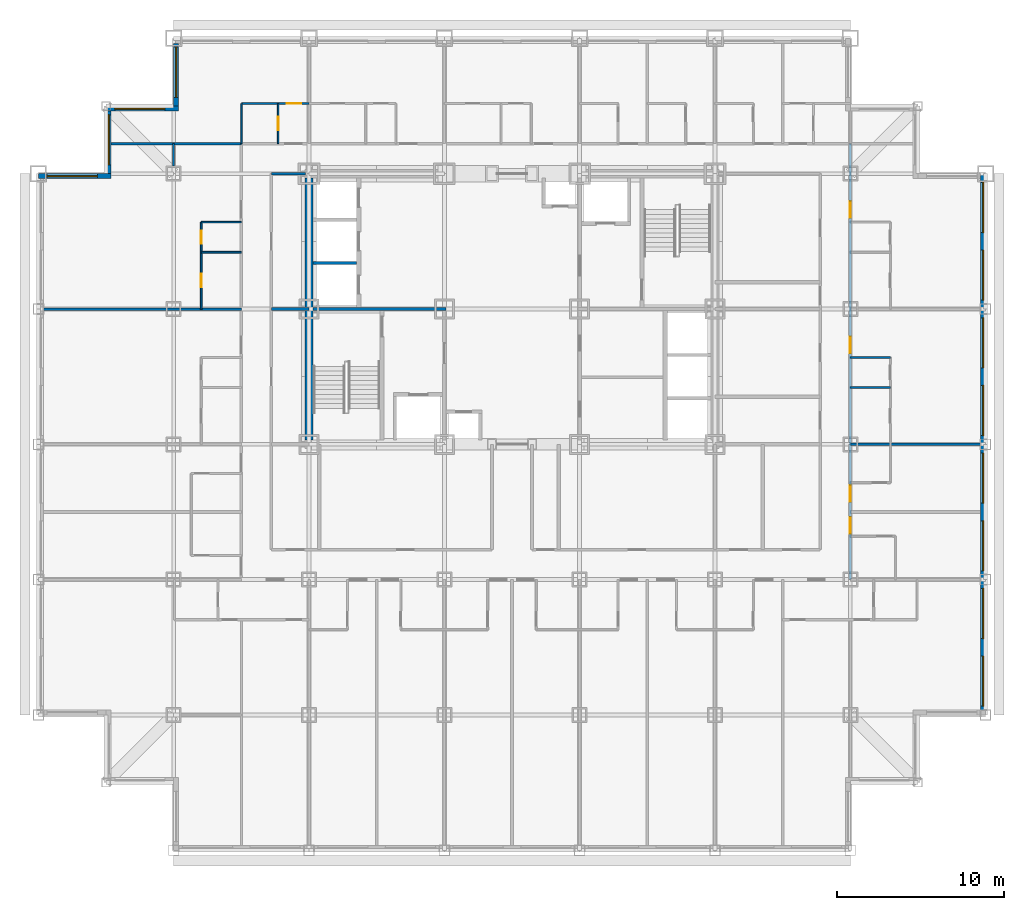
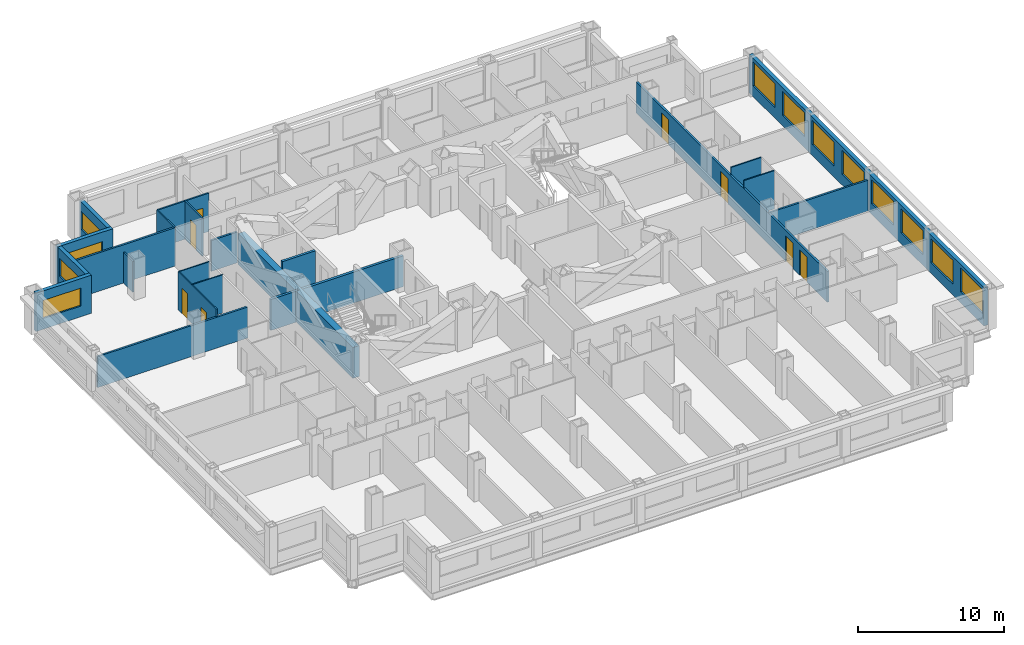
# One storey, part 7 of 11: 23 walls, 12 windows, 8 doors, 20 openings.
"""IFC4 building model written with IfcOpenShell, lengths in metres."""

from ifc_helpers import new_model, si_unit, direction, frame, frame_2d, origin, place, context, subcontext, project, spatial, rectangle, extrude, material, layer, layer_set, type_object, element, fill, save


model = new_model("IFC4")

# Units and contexts
model_context = context("Model", 3, precision=1e-05, world=origin(), true_north=direction((0.0, 1.0)))
body_context = subcontext(model_context, "Body", "Model", "MODEL_VIEW")
ifc_project = project(units=[si_unit("LENGTHUNIT", "METRE"), si_unit("AREAUNIT", "SQUARE_METRE"), si_unit("VOLUMEUNIT", "CUBIC_METRE"), si_unit("PLANEANGLEUNIT", "RADIAN"), si_unit("MASSUNIT", "GRAM", prefix="KILO")], contexts=[model_context])

# Site, building, storey
site_placement = place(None, origin())
site = spatial("IfcSite", under=ifc_project, at=site_placement, CompositionType="ELEMENT")
building_placement = place(site_placement, origin())
building = spatial("IfcBuilding", under=site, at=building_placement, Name="Kopane Lantern Tower", CompositionType="ELEMENT")
storey_placement = place(building_placement, frame((0.0, 0.0, 73.800048828125)))
storey = spatial("IfcBuildingStorey", under=building, at=storey_placement, Name="L18", CompositionType="ELEMENT", Elevation=73.800048828125)

# Wall, opening, door
ifc_material_1 = material(Name="Gypsum board on steel studs", Category="steel")
ifc_layer_1 = layer(ifc_material_1, 0.1201171875)
ifc_layer_set_1 = layer_set([ifc_layer_1], Name="APARTMENT INTERNAL WALL 120")
wall_type_1 = type_object("IfcWallType", Name="APARTMENT INTERNAL WALL 120", PredefinedType="PARTITIONING", material=ifc_layer_set_1)
wall_1_placement = place(storey_placement, frame((12.14990234375, 44.699951171875, 0.0), z_axis=(0.0, 0.0, 1.0), x_axis=(1.0, 0.0, 0.0)))
wall_1 = element("IfcWall", 1, at=wall_1_placement, inside=storey, type_object=wall_type_1, Name="Apartment Internal Wall 120 L18", PredefinedType="PARTITIONING", context=body_context, shape_type="SweptSolid", body=[
    extrude(rectangle(XDim=4.050048828125, YDim=0.1201171875, at=frame_2d((2.02490234375, 0.0))), origin(), (0.0, 0.0, 1.0), 3.18994140625),
])
opening_1_placement = place(wall_1_placement, frame((2.72509765625, 0.0, 0.0)))
opening_1 = element("IfcOpeningElement", 2, at=opening_1_placement, cuts=wall_1, Name="Opening L18-072", PredefinedType="OPENING", context=body_context, shape_type="SweptSolid", body=[
    extrude(rectangle(XDim=0.85009765625, YDim=2.10009765625, at=frame_2d((0.425048828125, 1.050048828125))), frame((0.0, 0.070068359375, 0.0), z_axis=(0.0, -1.0, 0.0), x_axis=(1.0, 0.0, 0.0)), (0.0, 0.0, 1.0), 0.14013671875),
])
ifc_material_2 = material(Name="Timber door set", Category="wood")
door_type_1 = type_object("IfcDoorType", Name="DOOR D4 850x2100", OperationType="SINGLE_SWING_LEFT", PredefinedType="DOOR", material=ifc_material_2)
door_1_placement = place(opening_1_placement, origin())
door_1 = element("IfcDoor", 3, at=door_1_placement, inside=storey, type_object=door_type_1, Name="Door L18-072", OperationType="SINGLE_SWING_LEFT", OverallHeight=2.10009765625, OverallWidth=0.85009765625, PredefinedType="DOOR", context=body_context, shape_type="SweptSolid", body=[
    extrude(rectangle(XDim=0.85009765625, YDim=2.10009765625, at=frame_2d((0.425048828125, 1.050048828125))), frame((0.0, 0.02490234375, 0.0), z_axis=(0.0, -1.0, 0.0), x_axis=(1.0, 0.0, 0.0)), (0.0, 0.0, 1.0), 0.050048828125),
])
fill(opening_1, door_1)

# Wall
wall_2_placement = place(storey_placement, frame((8.10009765625, 42.300048828125, 0.0), z_axis=(0.0, 0.0, 1.0), x_axis=(0.0, -1.0, 0.0)))
element("IfcWall", 4, at=wall_2_placement, inside=storey, type_object=wall_type_1, Name="Apartment Internal Wall 120 L18", PredefinedType="PARTITIONING", context=body_context, shape_type="SweptSolid", body=[
    extrude(rectangle(XDim=1.35009765625, YDim=0.1201171875, at=frame_2d((0.675048828125, 0.0))), origin(), (0.0, 0.0, 1.0), 2.57763671875),
])

# Wall, openings, doors
ifc_material_3 = material(Name="Moisture-resistant board on steel studs", Category="steel")
ifc_layer_2 = layer(ifc_material_3, 0.10009765625)
ifc_layer_set_2 = layer_set([ifc_layer_2], Name="BATHROOM WALL 100")
wall_type_2 = type_object("IfcWallType", Name="BATHROOM WALL 100", PredefinedType="PARTITIONING", material=ifc_layer_set_2)
wall_3_placement = place(storey_placement, frame((9.75, 32.39990234375, 0.0), z_axis=(0.0, 0.0, 1.0), x_axis=(0.0, 1.0, 0.0)))
wall_3 = element("IfcWall", 5, at=wall_3_placement, inside=storey, type_object=wall_type_2, Name="Bathroom Wall 100 L18", PredefinedType="PARTITIONING", context=body_context, shape_type="SweptSolid", body=[
    extrude(rectangle(XDim=5.2001953125, YDim=0.10009765625, at=frame_2d((2.60009765625, 0.0))), origin(), (0.0, 0.0, 1.0), 3.18994140625),
])
opening_2_placement = place(wall_3_placement, frame((1.300048828125, 0.0, 0.0)))
opening_2 = element("IfcOpeningElement", 6, at=opening_2_placement, cuts=wall_3, Name="Opening L18-046", PredefinedType="OPENING", context=body_context, shape_type="SweptSolid", body=[
    extrude(rectangle(XDim=0.800048828125, YDim=2.10009765625, at=frame_2d((0.39990234375, 1.050048828125))), frame((0.0, 0.06005859375, 0.0), z_axis=(0.0, -1.0, 0.0), x_axis=(1.0, 0.0, 0.0)), (0.0, 0.0, 1.0), 0.1201171875),
])
opening_3_placement = place(wall_3_placement, frame((3.89990234375, 0.0, 0.0)))
opening_3 = element("IfcOpeningElement", 7, at=opening_3_placement, cuts=wall_3, Name="Opening L18-047", PredefinedType="OPENING", context=body_context, shape_type="SweptSolid", body=[
    extrude(rectangle(XDim=0.800048828125, YDim=2.10009765625, at=frame_2d((0.39990234375, 1.050048828125))), frame((0.0, 0.06005859375, 0.0), z_axis=(0.0, -1.0, 0.0), x_axis=(1.0, 0.0, 0.0)), (0.0, 0.0, 1.0), 0.1201171875),
])
ifc_material_4 = material(Name="Timber door set", Category="wood")
door_type_2 = type_object("IfcDoorType", Name="DOOR D2 800x2100", OperationType="SINGLE_SWING_LEFT", PredefinedType="DOOR", material=ifc_material_4)
door_2_placement = place(opening_2_placement, origin())
door_2 = element("IfcDoor", 8, at=door_2_placement, inside=storey, type_object=door_type_2, Name="Door L18-046", OperationType="SINGLE_SWING_LEFT", OverallHeight=2.10009765625, OverallWidth=0.800048828125, PredefinedType="DOOR", context=body_context, shape_type="SweptSolid", body=[
    extrude(rectangle(XDim=0.800048828125, YDim=2.10009765625, at=frame_2d((0.39990234375, 1.050048828125))), frame((0.0, 0.02490234375, 0.0), z_axis=(0.0, -1.0, 0.0), x_axis=(1.0, 0.0, 0.0)), (0.0, 0.0, 1.0), 0.050048828125),
])
fill(opening_2, door_2)
door_3_placement = place(opening_3_placement, origin())
door_3 = element("IfcDoor", 9, at=door_3_placement, inside=storey, type_object=door_type_2, Name="Door L18-047", OperationType="SINGLE_SWING_LEFT", OverallHeight=2.10009765625, OverallWidth=0.800048828125, PredefinedType="DOOR", context=body_context, shape_type="SweptSolid", body=[
    extrude(rectangle(XDim=0.800048828125, YDim=2.10009765625, at=frame_2d((0.39990234375, 1.050048828125))), frame((0.0, 0.02490234375, 0.0), z_axis=(0.0, -1.0, 0.0), x_axis=(1.0, 0.0, 0.0)), (0.0, 0.0, 1.0), 0.050048828125),
])
fill(opening_3, door_3)

# Walls
for number, where, z_axis, x_axis, name in (
    (10, (12.14990234375, 35.800048828125, 0.0), (0.0, 0.0, 1.0), (-1.0, 0.0, 0.0), "Bathroom Wall 100 L18"),
    (11, (12.14990234375, 37.60009765625, 0.0), (0.0, 0.0, 1.0), (-1.0, 0.0, 0.0), "Bathroom Wall 100 L18"),
    (12, (48.60009765625, 27.699951171875, 0.0), (0.0, 0.0, 1.0), (1.0, 0.0, 0.0), "Bathroom Wall 100 L18"),
    (13, (48.60009765625, 29.5, 0.0), (0.0, 0.0, 1.0), (1.0, 0.0, 0.0), "Bathroom Wall 100 L18"),
):
    element("IfcWall", number, at=place(storey_placement, frame(where, z_axis=z_axis, x_axis=x_axis)), inside=storey, type_object=wall_type_2, Name=name, PredefinedType="PARTITIONING", context=body_context, shape_type="SweptSolid", body=[
        extrude(rectangle(XDim=2.39990234375, YDim=0.10009765625, at=frame_2d((1.199951171875, 0.0))), origin(), (0.0, 0.0, 1.0), 3.18994140625),
    ])

# Wall, opening, door
wall_4_placement = place(storey_placement, frame((14.35009765625, 42.300048828125, 0.0), z_axis=(0.0, 0.0, 1.0), x_axis=(0.0, 1.0, 0.0)))
wall_4 = element("IfcWall", 14, at=wall_4_placement, inside=storey, type_object=wall_type_2, Name="Bathroom Wall 100 L18", PredefinedType="PARTITIONING", context=body_context, shape_type="SweptSolid", body=[
    extrude(rectangle(XDim=2.39990234375, YDim=0.10009765625, at=frame_2d((1.199951171875, 0.0))), origin(), (0.0, 0.0, 1.0), 3.18994140625),
])
opening_4_placement = place(wall_4_placement, frame((0.800048828125, 0.0, 0.0)))
opening_4 = element("IfcOpeningElement", 15, at=opening_4_placement, cuts=wall_4, Name="Opening L18-070", PredefinedType="OPENING", context=body_context, shape_type="SweptSolid", body=[
    extrude(rectangle(XDim=0.800048828125, YDim=2.10009765625, at=frame_2d((0.39990234375, 1.050048828125))), frame((0.0, 0.06005859375, 0.0), z_axis=(0.0, -1.0, 0.0), x_axis=(1.0, 0.0, 0.0)), (0.0, 0.0, 1.0), 0.1201171875),
])
door_4_placement = place(opening_4_placement, origin())
door_4 = element("IfcDoor", 16, at=door_4_placement, inside=storey, type_object=door_type_2, Name="Door L18-070", OperationType="SINGLE_SWING_LEFT", OverallHeight=2.10009765625, OverallWidth=0.800048828125, PredefinedType="DOOR", context=body_context, shape_type="SweptSolid", body=[
    extrude(rectangle(XDim=0.800048828125, YDim=2.10009765625, at=frame_2d((0.39990234375, 1.050048828125))), frame((0.0, 0.02490234375, 0.0), z_axis=(0.0, -1.0, 0.0), x_axis=(1.0, 0.0, 0.0)), (0.0, 0.0, 1.0), 0.050048828125),
])
fill(opening_4, door_4)

# Walls
wall_5_placement = place(storey_placement, frame((12.14990234375, 42.300048828125, 0.0), z_axis=(0.0, 0.0, 1.0), x_axis=(0.0, 1.0, 0.0)))
element("IfcWall", 17, at=wall_5_placement, inside=storey, type_object=wall_type_2, Name="Bathroom Wall 100 L18", PredefinedType="PARTITIONING", context=body_context, shape_type="SweptSolid", body=[
    extrude(rectangle(XDim=2.39990234375, YDim=0.10009765625, at=frame_2d((1.199951171875, 0.0))), origin(), (0.0, 0.0, 1.0), 3.18994140625),
])
ifc_material_5 = material(Name="Gypsum shaft wall EI 120", Category="gypsum")
ifc_layer_3 = layer(ifc_material_5, 0.5)
ifc_layer_set_3 = layer_set([ifc_layer_3], Name="CORE PERIMETER WALL 500 EI 120")
wall_type_3 = type_object("IfcWallType", Name="CORE PERIMETER WALL 500 EI 120", PredefinedType="SOLIDWALL", material=ifc_layer_set_3)
wall_6_placement = place(storey_placement, frame((16.199951171875, 24.550048828125, 0.0), z_axis=(0.0, 0.0, 1.0), x_axis=(0.0, 1.0, 0.0)))
element("IfcWall", 18, at=wall_6_placement, inside=storey, type_object=wall_type_3, Name="Core shaft wall L18 PW", PredefinedType="SOLIDWALL", context=body_context, shape_type="SweptSolid", body=[
    extrude(rectangle(XDim=15.699951171875, YDim=0.5, at=frame_2d((7.85009765625, 0.0))), origin(), (0.0, 0.0, 1.0), 2.57763671875),
])

# Wall, openings, doors
ifc_material_6 = material(Name="Gypsum board on steel studs", Category="steel")
ifc_layer_4 = layer(ifc_material_6, 0.14990234375)
ifc_layer_set_4 = layer_set([ifc_layer_4], Name="CORRIDOR WALL 150 EI 60")
wall_type_4 = type_object("IfcWallType", Name="CORRIDOR WALL 150 EI 60", PredefinedType="PARTITIONING", material=ifc_layer_set_4)
wall_7_placement = place(storey_placement, frame((48.60009765625, 16.199951171875, 0.0), z_axis=(0.0, 0.0, 1.0), x_axis=(0.0, 1.0, 0.0)))
wall_7 = element("IfcWall", 19, at=wall_7_placement, inside=storey, type_object=wall_type_4, Name="Corridor Wall 150 Ei 60 L18", PredefinedType="PARTITIONING", context=body_context, shape_type="SweptSolid", body=[
    extrude(rectangle(XDim=26.10009765625, YDim=0.14990234375, at=frame_2d((13.050048828125, 0.0))), origin(), (0.0, 0.0, 1.0), 2.57763671875),
])
opening_5_placement = place(wall_7_placement, frame((2.75, 0.0, 0.0)))
opening_5 = element("IfcOpeningElement", 20, at=opening_5_placement, cuts=wall_7, Name="Opening L18-050", PredefinedType="OPENING", context=body_context, shape_type="SweptSolid", body=[
    extrude(rectangle(XDim=1.0, YDim=2.10009765625, at=frame_2d((0.5, 1.050048828125))), frame((0.0, 0.0849609375, 0.0), z_axis=(0.0, -1.0, 0.0), x_axis=(1.0, 0.0, 0.0)), (0.0, 0.0, 1.0), 0.169921875),
])
opening_6_placement = place(wall_7_placement, frame((4.64990234375, 0.0, 0.0)))
opening_6 = element("IfcOpeningElement", 21, at=opening_6_placement, cuts=wall_7, Name="Opening L18-052", PredefinedType="OPENING", context=body_context, shape_type="SweptSolid", body=[
    extrude(rectangle(XDim=1.0, YDim=2.10009765625, at=frame_2d((0.5, 1.050048828125))), frame((0.0, 0.0849609375, 0.0), z_axis=(0.0, -1.0, 0.0), x_axis=(1.0, 0.0, 0.0)), (0.0, 0.0, 1.0), 0.169921875),
])
opening_7_placement = place(wall_7_placement, frame((13.550048828125, 0.0, 0.0)))
opening_7 = element("IfcOpeningElement", 22, at=opening_7_placement, cuts=wall_7, Name="Opening L18-055", PredefinedType="OPENING", context=body_context, shape_type="SweptSolid", body=[
    extrude(rectangle(XDim=1.0, YDim=2.10009765625, at=frame_2d((0.5, 1.050048828125))), frame((0.0, 0.0849609375, 0.0), z_axis=(0.0, -1.0, 0.0), x_axis=(1.0, 0.0, 0.0)), (0.0, 0.0, 1.0), 0.169921875),
])
opening_8_placement = place(wall_7_placement, frame((21.64990234375, 0.0, 0.0)))
opening_8 = element("IfcOpeningElement", 23, at=opening_8_placement, cuts=wall_7, Name="Opening L18-058", PredefinedType="OPENING", context=body_context, shape_type="SweptSolid", body=[
    extrude(rectangle(XDim=1.0, YDim=2.10009765625, at=frame_2d((0.5, 1.050048828125))), frame((0.0, 0.0849609375, 0.0), z_axis=(0.0, -1.0, 0.0), x_axis=(1.0, 0.0, 0.0)), (0.0, 0.0, 1.0), 0.169921875),
])
ifc_material_7 = material(Name="Steel door set", Category="steel")
door_type_3 = type_object("IfcDoorType", Name="DOOR D1 1000x2100 FD30S", OperationType="SINGLE_SWING_LEFT", PredefinedType="DOOR", material=ifc_material_7)
door_5_placement = place(opening_5_placement, origin())
door_5 = element("IfcDoor", 24, at=door_5_placement, inside=storey, type_object=door_type_3, Name="Door L18-050", OperationType="SINGLE_SWING_RIGHT", OverallHeight=2.10009765625, OverallWidth=1.0, PredefinedType="DOOR", context=body_context, shape_type="SweptSolid", body=[
    extrude(rectangle(XDim=1.0, YDim=2.10009765625, at=frame_2d((0.5, 1.050048828125))), frame((0.0, 0.02490234375, 0.0), z_axis=(0.0, -1.0, 0.0), x_axis=(1.0, 0.0, 0.0)), (0.0, 0.0, 1.0), 0.050048828125),
])
fill(opening_5, door_5)
door_6_placement = place(opening_6_placement, origin())
door_6 = element("IfcDoor", 25, at=door_6_placement, inside=storey, type_object=door_type_3, Name="Door L18-052", OperationType="SINGLE_SWING_LEFT", OverallHeight=2.10009765625, OverallWidth=1.0, PredefinedType="DOOR", context=body_context, shape_type="SweptSolid", body=[
    extrude(rectangle(XDim=1.0, YDim=2.10009765625, at=frame_2d((0.5, 1.050048828125))), frame((0.0, 0.02490234375, 0.0), z_axis=(0.0, -1.0, 0.0), x_axis=(1.0, 0.0, 0.0)), (0.0, 0.0, 1.0), 0.050048828125),
])
fill(opening_6, door_6)
door_7_placement = place(opening_7_placement, origin())
door_7 = element("IfcDoor", 26, at=door_7_placement, inside=storey, type_object=door_type_3, Name="Door L18-055", OperationType="SINGLE_SWING_RIGHT", OverallHeight=2.10009765625, OverallWidth=1.0, PredefinedType="DOOR", context=body_context, shape_type="SweptSolid", body=[
    extrude(rectangle(XDim=1.0, YDim=2.10009765625, at=frame_2d((0.5, 1.050048828125))), frame((0.0, 0.02490234375, 0.0), z_axis=(0.0, -1.0, 0.0), x_axis=(1.0, 0.0, 0.0)), (0.0, 0.0, 1.0), 0.050048828125),
])
fill(opening_7, door_7)
door_8_placement = place(opening_8_placement, origin())
door_8 = element("IfcDoor", 27, at=door_8_placement, inside=storey, type_object=door_type_3, Name="Door L18-058", OperationType="SINGLE_SWING_RIGHT", OverallHeight=2.10009765625, OverallWidth=1.0, PredefinedType="DOOR", context=body_context, shape_type="SweptSolid", body=[
    extrude(rectangle(XDim=1.0, YDim=2.10009765625, at=frame_2d((0.5, 1.050048828125))), frame((0.0, 0.02490234375, 0.0), z_axis=(0.0, -1.0, 0.0), x_axis=(1.0, 0.0, 0.0)), (0.0, 0.0, 1.0), 0.050048828125),
])
fill(opening_8, door_8)

# Walls
wall_8_placement = place(storey_placement, frame((16.0, 40.5, 0.0), z_axis=(0.0, 0.0, 1.0), x_axis=(-1.0, 0.0, 0.0)))
element("IfcWall", 28, at=wall_8_placement, inside=storey, type_object=wall_type_4, Name="Corridor Wall 150 Ei 60 L18", PredefinedType="PARTITIONING", context=body_context, shape_type="SweptSolid", body=[
    extrude(rectangle(XDim=2.050048828125, YDim=0.14990234375, at=frame_2d((1.02490234375, 0.0))), origin(), (0.0, 0.0, 1.0), 2.57763671875),
])
ifc_material_8 = material(Name="Gypsum board on steel studs", Category="steel")
ifc_layer_5 = layer(ifc_material_8, 0.14990234375)
ifc_layer_set_5 = layer_set([ifc_layer_5], Name="DEMISING WALL 150 EI 60")
wall_type_5 = type_object("IfcWallType", Name="DEMISING WALL 150 EI 60", PredefinedType="PARTITIONING", material=ifc_layer_set_5)
wall_9_placement = place(storey_placement, frame((12.14990234375, 32.39990234375, 0.0), z_axis=(0.0, 0.0, 1.0), x_axis=(-1.0, 0.0, 0.0)))
element("IfcWall", 29, at=wall_9_placement, inside=storey, type_object=wall_type_5, Name="Demising Wall 150 Ei 60 L18", PredefinedType="PARTITIONING", context=body_context, shape_type="SweptSolid", body=[
    extrude(rectangle(XDim=11.849853515625, YDim=0.14990234375, at=frame_2d((5.9248046875, 0.0))), origin(), (0.0, 0.0, 1.0), 2.57763671875),
])
wall_10_placement = place(storey_placement, frame((48.60009765625, 24.300048828125, 0.0), z_axis=(0.0, 0.0, 1.0), x_axis=(1.0, 0.0, 0.0)))
element("IfcWall", 30, at=wall_10_placement, inside=storey, type_object=wall_type_5, Name="Demising Wall 150 Ei 60 L18", PredefinedType="PARTITIONING", context=body_context, shape_type="SweptSolid", body=[
    extrude(rectangle(XDim=7.7998046875, YDim=0.14990234375, at=frame_2d((3.89990234375, 0.0))), origin(), (0.0, 0.0, 1.0), 2.57763671875),
])
wall_11_placement = place(storey_placement, frame((4.35009765625, 42.300048828125, 0.0), z_axis=(0.0, 0.0, 1.0), x_axis=(1.0, 0.0, 0.0)))
element("IfcWall", 31, at=wall_11_placement, inside=storey, type_object=wall_type_5, Name="Demising Wall 150 Ei 60 L18", PredefinedType="PARTITIONING", context=body_context, shape_type="SweptSolid", body=[
    extrude(rectangle(XDim=7.7998046875, YDim=0.14990234375, at=frame_2d((3.89990234375, 0.0))), origin(), (0.0, 0.0, 1.0), 3.18994140625),
])

# Wall, openings, windows
ifc_material_9 = material(Name="Terracotta rainscreen on light steel framing", Category="masonry")
ifc_layer_6 = layer(ifc_material_9, 0.300048828125)
ifc_layer_set_6 = layer_set([ifc_layer_6], Name="EXTERNAL WALL EW1 300 TERRACOTTA")
wall_type_6 = type_object("IfcWallType", Name="EXTERNAL WALL EW1 300 TERRACOTTA", PredefinedType="SOLIDWALL", material=ifc_layer_set_6)
wall_12_placement = place(storey_placement, frame((56.550048828125, 8.39990234375, 0.0), z_axis=(0.0, 0.0, 1.0), x_axis=(0.0, 1.0, 0.0)))
wall_12 = element("IfcWall", 32, at=wall_12_placement, inside=storey, type_object=wall_type_6, Name="External wall E L18", PredefinedType="SOLIDWALL", context=body_context, shape_type="SweptSolid", body=[
    extrude(rectangle(XDim=32.10009765625, YDim=0.300048828125, at=frame_2d((16.050048828125, 0.0))), origin(), (0.0, 0.0, 1.0), 3.18994140625),
])
opening_9_placement = place(wall_12_placement, frame((0.22509765625, 0.0, 0.89990234375)))
opening_9 = element("IfcOpeningElement", 33, at=opening_9_placement, cuts=wall_12, Name="Opening WR300200", PredefinedType="OPENING", context=body_context, shape_type="SweptSolid", body=[
    extrude(rectangle(XDim=3.0, YDim=2.0, at=frame_2d((1.5, 1.0))), frame((0.0, 0.159912109375, 0.0), z_axis=(0.0, -1.0, 0.0), x_axis=(1.0, 0.0, 0.0)), (0.0, 0.0, 1.0), 0.320068359375),
])
opening_10_placement = place(wall_12_placement, frame((4.27490234375, 0.0, 0.89990234375)))
opening_10 = element("IfcOpeningElement", 34, at=opening_10_placement, cuts=wall_12, Name="Opening WR300200", PredefinedType="OPENING", context=body_context, shape_type="SweptSolid", body=[
    extrude(rectangle(XDim=3.0, YDim=2.0, at=frame_2d((1.5, 1.0))), frame((0.0, 0.159912109375, 0.0), z_axis=(0.0, -1.0, 0.0), x_axis=(1.0, 0.0, 0.0)), (0.0, 0.0, 1.0), 0.320068359375),
])
opening_11_placement = place(wall_12_placement, frame((8.324951171875, 0.0, 0.89990234375)))
opening_11 = element("IfcOpeningElement", 35, at=opening_11_placement, cuts=wall_12, Name="Opening WR300200", PredefinedType="OPENING", context=body_context, shape_type="SweptSolid", body=[
    extrude(rectangle(XDim=3.0, YDim=2.0, at=frame_2d((1.5, 1.0))), frame((0.0, 0.159912109375, 0.0), z_axis=(0.0, -1.0, 0.0), x_axis=(1.0, 0.0, 0.0)), (0.0, 0.0, 1.0), 0.320068359375),
])
opening_12_placement = place(wall_12_placement, frame((12.375, 0.0, 0.89990234375)))
opening_12 = element("IfcOpeningElement", 36, at=opening_12_placement, cuts=wall_12, Name="Opening WR300200", PredefinedType="OPENING", context=body_context, shape_type="SweptSolid", body=[
    extrude(rectangle(XDim=3.0, YDim=2.0, at=frame_2d((1.5, 1.0))), frame((0.0, 0.159912109375, 0.0), z_axis=(0.0, -1.0, 0.0), x_axis=(1.0, 0.0, 0.0)), (0.0, 0.0, 1.0), 0.320068359375),
])
opening_13_placement = place(wall_12_placement, frame((16.425048828125, 0.0, 0.89990234375)))
opening_13 = element("IfcOpeningElement", 37, at=opening_13_placement, cuts=wall_12, Name="Opening WR300200", PredefinedType="OPENING", context=body_context, shape_type="SweptSolid", body=[
    extrude(rectangle(XDim=3.0, YDim=2.0, at=frame_2d((1.5, 1.0))), frame((0.0, 0.159912109375, 0.0), z_axis=(0.0, -1.0, 0.0), x_axis=(1.0, 0.0, 0.0)), (0.0, 0.0, 1.0), 0.320068359375),
])
opening_14_placement = place(wall_12_placement, frame((20.47509765625, 0.0, 0.89990234375)))
opening_14 = element("IfcOpeningElement", 38, at=opening_14_placement, cuts=wall_12, Name="Opening WR300200", PredefinedType="OPENING", context=body_context, shape_type="SweptSolid", body=[
    extrude(rectangle(XDim=3.0, YDim=2.0, at=frame_2d((1.5, 1.0))), frame((0.0, 0.159912109375, 0.0), z_axis=(0.0, -1.0, 0.0), x_axis=(1.0, 0.0, 0.0)), (0.0, 0.0, 1.0), 0.320068359375),
])
opening_15_placement = place(wall_12_placement, frame((24.52490234375, 0.0, 0.89990234375)))
opening_15 = element("IfcOpeningElement", 39, at=opening_15_placement, cuts=wall_12, Name="Opening WR300200", PredefinedType="OPENING", context=body_context, shape_type="SweptSolid", body=[
    extrude(rectangle(XDim=3.0, YDim=2.0, at=frame_2d((1.5, 1.0))), frame((0.0, 0.159912109375, 0.0), z_axis=(0.0, -1.0, 0.0), x_axis=(1.0, 0.0, 0.0)), (0.0, 0.0, 1.0), 0.320068359375),
])
opening_16_placement = place(wall_12_placement, frame((28.574951171875, 0.0, 0.89990234375)))
opening_16 = element("IfcOpeningElement", 40, at=opening_16_placement, cuts=wall_12, Name="Opening WR300200", PredefinedType="OPENING", context=body_context, shape_type="SweptSolid", body=[
    extrude(rectangle(XDim=3.0, YDim=2.0, at=frame_2d((1.5, 1.0))), frame((0.0, 0.159912109375, 0.0), z_axis=(0.0, -1.0, 0.0), x_axis=(1.0, 0.0, 0.0)), (0.0, 0.0, 1.0), 0.320068359375),
])
ifc_material_10 = material(Name="Aluminium and clear glass", Category="aluminium")
window_type_1 = type_object("IfcWindowType", Name="RIBBON WINDOW WR300200 3000x2000", PartitioningType="SINGLE_PANEL", PredefinedType="WINDOW", material=ifc_material_10)
window_1_placement = place(opening_9_placement, origin())
window_1 = element("IfcWindow", 41, at=window_1_placement, inside=storey, type_object=window_type_1, Name="Window E L18", OverallHeight=2.0, OverallWidth=3.0, PartitioningType="SINGLE_PANEL", PredefinedType="WINDOW", context=body_context, shape_type="SweptSolid", body=[
    extrude(rectangle(XDim=3.0, YDim=2.0, at=frame_2d((1.5, 1.0))), frame((0.0, 0.030029296875, 0.0), z_axis=(0.0, -1.0, 0.0), x_axis=(1.0, 0.0, 0.0)), (0.0, 0.0, 1.0), 0.06005859375),
])
fill(opening_9, window_1)
window_2_placement = place(opening_10_placement, origin())
window_2 = element("IfcWindow", 42, at=window_2_placement, inside=storey, type_object=window_type_1, Name="Window E L18", OverallHeight=2.0, OverallWidth=3.0, PartitioningType="SINGLE_PANEL", PredefinedType="WINDOW", context=body_context, shape_type="SweptSolid", body=[
    extrude(rectangle(XDim=3.0, YDim=2.0, at=frame_2d((1.5, 1.0))), frame((0.0, 0.030029296875, 0.0), z_axis=(0.0, -1.0, 0.0), x_axis=(1.0, 0.0, 0.0)), (0.0, 0.0, 1.0), 0.06005859375),
])
fill(opening_10, window_2)
window_3_placement = place(opening_11_placement, origin())
window_3 = element("IfcWindow", 43, at=window_3_placement, inside=storey, type_object=window_type_1, Name="Window E L18", OverallHeight=2.0, OverallWidth=3.0, PartitioningType="SINGLE_PANEL", PredefinedType="WINDOW", context=body_context, shape_type="SweptSolid", body=[
    extrude(rectangle(XDim=3.0, YDim=2.0, at=frame_2d((1.5, 1.0))), frame((0.0, 0.030029296875, 0.0), z_axis=(0.0, -1.0, 0.0), x_axis=(1.0, 0.0, 0.0)), (0.0, 0.0, 1.0), 0.06005859375),
])
fill(opening_11, window_3)
window_4_placement = place(opening_12_placement, origin())
window_4 = element("IfcWindow", 44, at=window_4_placement, inside=storey, type_object=window_type_1, Name="Window E L18", OverallHeight=2.0, OverallWidth=3.0, PartitioningType="SINGLE_PANEL", PredefinedType="WINDOW", context=body_context, shape_type="SweptSolid", body=[
    extrude(rectangle(XDim=3.0, YDim=2.0, at=frame_2d((1.5, 1.0))), frame((0.0, 0.030029296875, 0.0), z_axis=(0.0, -1.0, 0.0), x_axis=(1.0, 0.0, 0.0)), (0.0, 0.0, 1.0), 0.06005859375),
])
fill(opening_12, window_4)
window_5_placement = place(opening_13_placement, origin())
window_5 = element("IfcWindow", 45, at=window_5_placement, inside=storey, type_object=window_type_1, Name="Window E L18", OverallHeight=2.0, OverallWidth=3.0, PartitioningType="SINGLE_PANEL", PredefinedType="WINDOW", context=body_context, shape_type="SweptSolid", body=[
    extrude(rectangle(XDim=3.0, YDim=2.0, at=frame_2d((1.5, 1.0))), frame((0.0, 0.030029296875, 0.0), z_axis=(0.0, -1.0, 0.0), x_axis=(1.0, 0.0, 0.0)), (0.0, 0.0, 1.0), 0.06005859375),
])
fill(opening_13, window_5)
window_6_placement = place(opening_14_placement, origin())
window_6 = element("IfcWindow", 46, at=window_6_placement, inside=storey, type_object=window_type_1, Name="Window E L18", OverallHeight=2.0, OverallWidth=3.0, PartitioningType="SINGLE_PANEL", PredefinedType="WINDOW", context=body_context, shape_type="SweptSolid", body=[
    extrude(rectangle(XDim=3.0, YDim=2.0, at=frame_2d((1.5, 1.0))), frame((0.0, 0.030029296875, 0.0), z_axis=(0.0, -1.0, 0.0), x_axis=(1.0, 0.0, 0.0)), (0.0, 0.0, 1.0), 0.06005859375),
])
fill(opening_14, window_6)
window_7_placement = place(opening_15_placement, origin())
window_7 = element("IfcWindow", 47, at=window_7_placement, inside=storey, type_object=window_type_1, Name="Window E L18", OverallHeight=2.0, OverallWidth=3.0, PartitioningType="SINGLE_PANEL", PredefinedType="WINDOW", context=body_context, shape_type="SweptSolid", body=[
    extrude(rectangle(XDim=3.0, YDim=2.0, at=frame_2d((1.5, 1.0))), frame((0.0, 0.030029296875, 0.0), z_axis=(0.0, -1.0, 0.0), x_axis=(1.0, 0.0, 0.0)), (0.0, 0.0, 1.0), 0.06005859375),
])
fill(opening_15, window_7)
window_8_placement = place(opening_16_placement, origin())
window_8 = element("IfcWindow", 48, at=window_8_placement, inside=storey, type_object=window_type_1, Name="Window E L18", OverallHeight=2.0, OverallWidth=3.0, PartitioningType="SINGLE_PANEL", PredefinedType="WINDOW", context=body_context, shape_type="SweptSolid", body=[
    extrude(rectangle(XDim=3.0, YDim=2.0, at=frame_2d((1.5, 1.0))), frame((0.0, 0.030029296875, 0.0), z_axis=(0.0, -1.0, 0.0), x_axis=(1.0, 0.0, 0.0)), (0.0, 0.0, 1.0), 0.06005859375),
])
fill(opening_16, window_8)

# Wall, opening, window
wall_13_placement = place(storey_placement, frame((8.25, 48.300048828125, 0.0), z_axis=(0.0, 0.0, 1.0), x_axis=(0.0, -1.0, 0.0)))
wall_13 = element("IfcWall", 49, at=wall_13_placement, inside=storey, type_object=wall_type_6, Name="External wall W L18", PredefinedType="SOLIDWALL", context=body_context, shape_type="SweptSolid", body=[
    extrude(rectangle(XDim=3.75, YDim=0.300048828125, at=frame_2d((1.875, 0.0))), origin(), (0.0, 0.0, 1.0), 3.18994140625),
])
opening_17_placement = place(wall_13_placement, frame((0.22509765625, 0.0, 0.89990234375)))
opening_17 = element("IfcOpeningElement", 50, at=opening_17_placement, cuts=wall_13, Name="Opening WR300150", PredefinedType="OPENING", context=body_context, shape_type="SweptSolid", body=[
    extrude(rectangle(XDim=3.0, YDim=1.5, at=frame_2d((1.5, 0.75))), frame((0.0, 0.159912109375, 0.0), z_axis=(0.0, -1.0, 0.0), x_axis=(1.0, 0.0, 0.0)), (0.0, 0.0, 1.0), 0.320068359375),
])
ifc_material_11 = material(Name="Aluminium and clear glass", Category="aluminium")
window_type_2 = type_object("IfcWindowType", Name="RIBBON WINDOW WR300150 3000x1500", PartitioningType="SINGLE_PANEL", PredefinedType="WINDOW", material=ifc_material_11)
window_9_placement = place(opening_17_placement, origin())
window_9 = element("IfcWindow", 51, at=window_9_placement, inside=storey, type_object=window_type_2, Name="Window W L18", OverallHeight=1.5, OverallWidth=3.0, PartitioningType="SINGLE_PANEL", PredefinedType="WINDOW", context=body_context, shape_type="SweptSolid", body=[
    extrude(rectangle(XDim=3.0, YDim=1.5, at=frame_2d((1.5, 0.75))), frame((0.0, 0.030029296875, 0.0), z_axis=(0.0, -1.0, 0.0), x_axis=(1.0, 0.0, 0.0)), (0.0, 0.0, 1.0), 0.06005859375),
])
fill(opening_17, window_9)

wall_14_placement = place(storey_placement, frame((8.39990234375, 44.39990234375, 0.0), z_axis=(0.0, 0.0, 1.0), x_axis=(-1.0, 0.0, 0.0)))
wall_14 = element("IfcWall", 52, at=wall_14_placement, inside=storey, type_object=wall_type_6, Name="External wall N L18", PredefinedType="SOLIDWALL", context=body_context, shape_type="SweptSolid", body=[
    extrude(rectangle(XDim=4.349853515625, YDim=0.300048828125, at=frame_2d((2.1748046875, 0.0))), origin(), (0.0, 0.0, 1.0), 3.18994140625),
])
opening_18_placement = place(wall_14_placement, frame((0.824951171875, 0.0, 0.89990234375)))
opening_18 = element("IfcOpeningElement", 53, at=opening_18_placement, cuts=wall_14, Name="Opening WR300150", PredefinedType="OPENING", context=body_context, shape_type="SweptSolid", body=[
    extrude(rectangle(XDim=3.0, YDim=1.5, at=frame_2d((1.5, 0.75))), frame((0.0, 0.159912109375, 0.0), z_axis=(0.0, -1.0, 0.0), x_axis=(1.0, 0.0, 0.0)), (0.0, 0.0, 1.0), 0.320068359375),
])
window_10_placement = place(opening_18_placement, origin())
window_10 = element("IfcWindow", 54, at=window_10_placement, inside=storey, type_object=window_type_2, Name="Window N L18", OverallHeight=1.5, OverallWidth=3.0, PartitioningType="SINGLE_PANEL", PredefinedType="WINDOW", context=body_context, shape_type="SweptSolid", body=[
    extrude(rectangle(XDim=3.0, YDim=1.5, at=frame_2d((1.5, 0.75))), frame((0.0, 0.030029296875, 0.0), z_axis=(0.0, -1.0, 0.0), x_axis=(1.0, 0.0, 0.0)), (0.0, 0.0, 1.0), 0.06005859375),
])
fill(opening_18, window_10)

wall_15_placement = place(storey_placement, frame((4.199951171875, 44.25, 0.0), z_axis=(0.0, 0.0, 1.0), x_axis=(0.0, -1.0, 0.0)))
wall_15 = element("IfcWall", 55, at=wall_15_placement, inside=storey, type_object=wall_type_6, Name="External wall W L18", PredefinedType="SOLIDWALL", context=body_context, shape_type="SweptSolid", body=[
    extrude(rectangle(XDim=3.75, YDim=0.300048828125, at=frame_2d((1.875, 0.0))), origin(), (0.0, 0.0, 1.0), 3.18994140625),
])
opening_19_placement = place(wall_15_placement, frame((0.22509765625, 0.0, 0.89990234375)))
opening_19 = element("IfcOpeningElement", 56, at=opening_19_placement, cuts=wall_15, Name="Opening WR300150", PredefinedType="OPENING", context=body_context, shape_type="SweptSolid", body=[
    extrude(rectangle(XDim=3.0, YDim=1.5, at=frame_2d((1.5, 0.75))), frame((0.0, 0.159912109375, 0.0), z_axis=(0.0, -1.0, 0.0), x_axis=(1.0, 0.0, 0.0)), (0.0, 0.0, 1.0), 0.320068359375),
])
window_11_placement = place(opening_19_placement, origin())
window_11 = element("IfcWindow", 57, at=window_11_placement, inside=storey, type_object=window_type_2, Name="Window W L18", OverallHeight=1.5, OverallWidth=3.0, PartitioningType="SINGLE_PANEL", PredefinedType="WINDOW", context=body_context, shape_type="SweptSolid", body=[
    extrude(rectangle(XDim=3.0, YDim=1.5, at=frame_2d((1.5, 0.75))), frame((0.0, 0.030029296875, 0.0), z_axis=(0.0, -1.0, 0.0), x_axis=(1.0, 0.0, 0.0)), (0.0, 0.0, 1.0), 0.06005859375),
])
fill(opening_19, window_11)

wall_16_placement = place(storey_placement, frame((4.35009765625, 40.35009765625, 0.0), z_axis=(0.0, 0.0, 1.0), x_axis=(-1.0, 0.0, 0.0)))
wall_16 = element("IfcWall", 58, at=wall_16_placement, inside=storey, type_object=wall_type_6, Name="External wall N L18", PredefinedType="SOLIDWALL", context=body_context, shape_type="SweptSolid", body=[
    extrude(rectangle(XDim=4.35009765625, YDim=0.300048828125, at=frame_2d((2.175048828125, 0.0))), origin(), (0.0, 0.0, 1.0), 3.18994140625),
])
opening_20_placement = place(wall_16_placement, frame((0.824951171875, 0.0, 0.89990234375)))
opening_20 = element("IfcOpeningElement", 59, at=opening_20_placement, cuts=wall_16, Name="Opening WR300150", PredefinedType="OPENING", context=body_context, shape_type="SweptSolid", body=[
    extrude(rectangle(XDim=3.0, YDim=1.5, at=frame_2d((1.5, 0.75))), frame((0.0, 0.159912109375, 0.0), z_axis=(0.0, -1.0, 0.0), x_axis=(1.0, 0.0, 0.0)), (0.0, 0.0, 1.0), 0.320068359375),
])
window_12_placement = place(opening_20_placement, origin())
window_12 = element("IfcWindow", 60, at=window_12_placement, inside=storey, type_object=window_type_2, Name="Window N L18", OverallHeight=1.5, OverallWidth=3.0, PartitioningType="SINGLE_PANEL", PredefinedType="WINDOW", context=body_context, shape_type="SweptSolid", body=[
    extrude(rectangle(XDim=3.0, YDim=1.5, at=frame_2d((1.5, 0.75))), frame((0.0, 0.030029296875, 0.0), z_axis=(0.0, -1.0, 0.0), x_axis=(1.0, 0.0, 0.0)), (0.0, 0.0, 1.0), 0.06005859375),
])
fill(opening_20, window_12)

# Walls
ifc_material_12 = material(Name="Concrete masonry", Category="masonry")
ifc_layer_7 = layer(ifc_material_12, 0.199951171875)
ifc_layer_set_7 = layer_set([ifc_layer_7], Name="PLANT ROOM WALL 200 EI 120")
wall_type_7 = type_object("IfcWallType", Name="PLANT ROOM WALL 200 EI 120", PredefinedType="SOLIDWALL", material=ifc_layer_set_7)
wall_17_placement = place(storey_placement, frame((13.949951171875, 32.39990234375, 0.0), z_axis=(0.0, 0.0, 1.0), x_axis=(1.0, 0.0, 0.0)))
element("IfcWall", 61, at=wall_17_placement, inside=storey, type_object=wall_type_7, Name="Plant Room Wall 200 Ei 120 L18", PredefinedType="SOLIDWALL", context=body_context, shape_type="SweptSolid", body=[
    extrude(rectangle(XDim=2.25, YDim=0.199951171875, at=frame_2d((1.125, 0.0))), origin(), (0.0, 0.0, 1.0), 2.57763671875),
])
ifc_material_13 = material(Name="Gypsum shaft wall EI 120", Category="gypsum")
ifc_layer_8 = layer(ifc_material_13, 0.199951171875)
ifc_layer_set_8 = layer_set([ifc_layer_8], Name="SHAFT WALL 200 EI 120")
wall_type_8 = type_object("IfcWallType", Name="SHAFT WALL 200 EI 120", PredefinedType="SOLIDWALL", material=ifc_layer_set_8)
wall_18_placement = place(storey_placement, frame((16.449951171875, 32.39990234375, 0.0), z_axis=(0.0, 0.0, 1.0), x_axis=(1.0, 0.0, 0.0)))
element("IfcWall", 62, at=wall_18_placement, inside=storey, type_object=wall_type_8, Name="Core shaft wall L18 Y324W", PredefinedType="SOLIDWALL", context=body_context, shape_type="SweptSolid", body=[
    extrude(rectangle(XDim=7.949951171875, YDim=0.199951171875, at=frame_2d((3.97509765625, 0.0))), origin(), (0.0, 0.0, 1.0), 2.57763671875),
])
wall_19_placement = place(storey_placement, frame((16.449951171875, 35.14990234375, 0.0), z_axis=(0.0, 0.0, 1.0), x_axis=(1.0, 0.0, 0.0)))
element("IfcWall", 63, at=wall_19_placement, inside=storey, type_object=wall_type_8, Name="Core shaft wall L18 YLH12", PredefinedType="SOLIDWALL", context=body_context, shape_type="SweptSolid", body=[
    extrude(rectangle(XDim=2.60009765625, YDim=0.199951171875, at=frame_2d((1.300048828125, 0.0))), origin(), (0.0, 0.0, 1.0), 3.18994140625),
])

save(model, "model.ifc")
